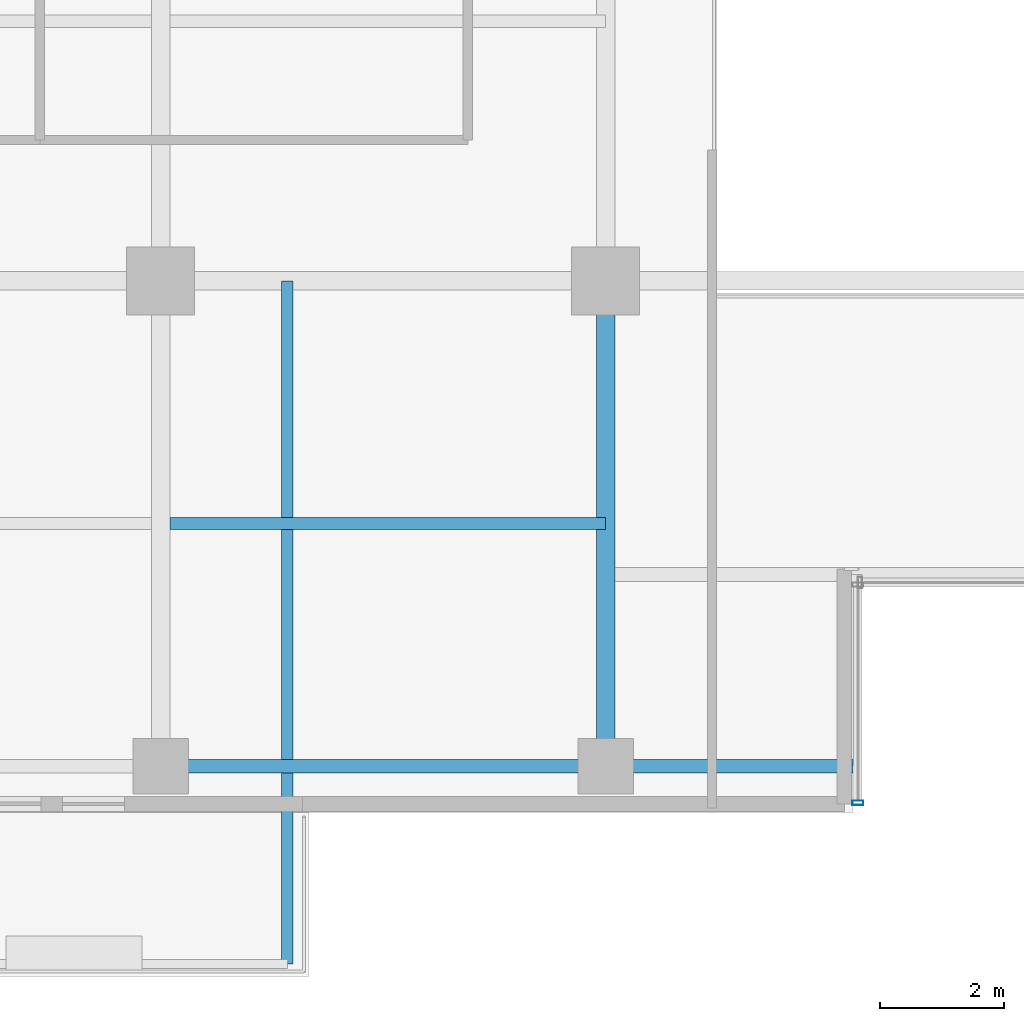
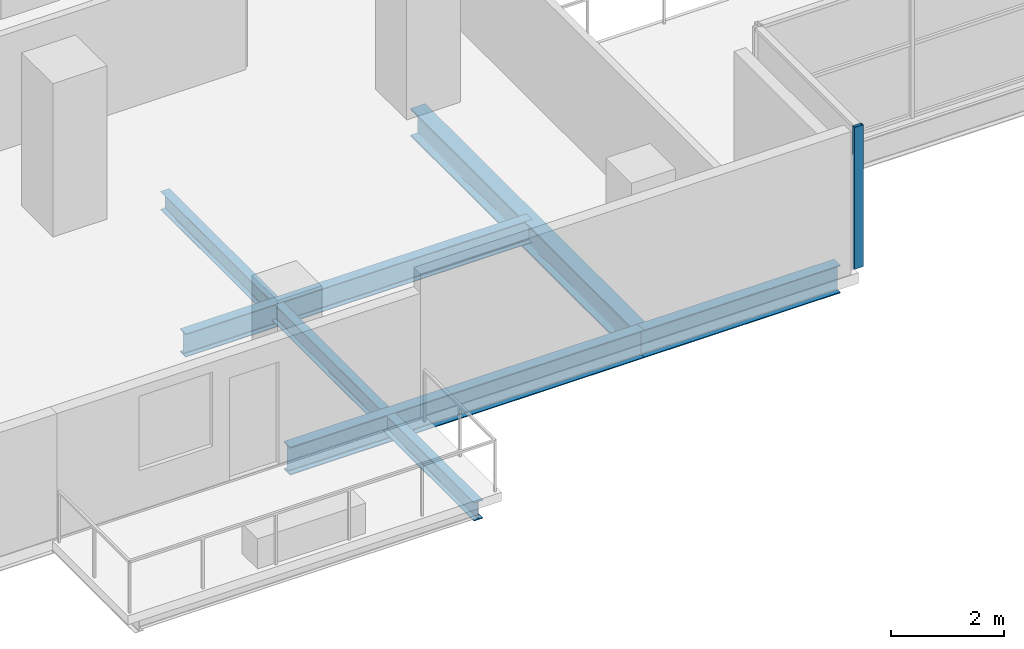
# One storey, part 5 of 26: 5 beams, 1 member, 1 element without a shape of its own.
"""IFC4 building model written with IfcOpenShell, lengths in metres."""

from ifc_helpers import new_model, si_unit, direction, frame, origin, origin_2d, place, context, subcontext, project, spatial, hollow_rectangle, i_section, extrude, source, transform, mapped, material, layer, layer_set, material_profile, profile_set, type_object, element, aggregate, save


model = new_model("IFC4")

# Units and contexts
model_context = context("Model", 3, precision=1e-05, world=origin(), true_north=direction((0.0, 1.0)))
body_context = subcontext(model_context, "Body", "Model", "MODEL_VIEW")
ifc_project = project(units=[si_unit("LENGTHUNIT", "METRE"), si_unit("AREAUNIT", "SQUARE_METRE"), si_unit("VOLUMEUNIT", "CUBIC_METRE"), si_unit("PLANEANGLEUNIT", "RADIAN"), si_unit("MASSUNIT", "GRAM", prefix="KILO")], contexts=[model_context])

# Site, building, storey
site_placement = place(None, origin())
site = spatial("IfcSite", under=ifc_project, at=site_placement, CompositionType="ELEMENT")
building_placement = place(site_placement, origin())
building = spatial("IfcBuilding", under=site, at=building_placement, Name="Zarnakvel Exchange Tower", CompositionType="ELEMENT")
storey_placement = place(building_placement, frame((0.0, 0.0, 63.699951171875)))
storey = spatial("IfcBuildingStorey", under=building, at=storey_placement, Name="L17", CompositionType="ELEMENT", Elevation=63.699951171875)

# Beams
ifc_material_1 = material(Name="Steel S355", Category="steel")
ifc_material_profile_1 = material_profile(ifc_material_1, i_section(OverallWidth=0.199951171875, OverallDepth=0.5, WebThickness=0.01025390625, FlangeThickness=0.01611328125, FilletRadius=0.02099609375, at=origin_2d()))
ifc_profile_set_1 = profile_set([ifc_material_profile_1], Name="Steel S355")
beam_type_1 = type_object("IfcBeamType", Name="B-04", PredefinedType="JOIST", material=ifc_profile_set_1)
beam_1_placement = place(storey_placement, frame((-14.25, -13.52490234375, -0.474853515625), z_axis=(1.0, 0.0, 0.0), x_axis=(0.0, 1.0, 0.0)))
element("IfcBeam", 1, at=beam_1_placement, inside=storey, type_object=beam_type_1, Name="L17 Composite Floor Secondary Joist", PredefinedType="JOIST", context=body_context, shape_type="SweptSolid", body=[
    extrude(i_section(OverallWidth=0.199951171875, OverallDepth=0.5, WebThickness=0.01025390625, FlangeThickness=0.01611328125, FilletRadius=0.02099609375, at=origin_2d()), origin(), (0.0, 0.0, 1.0), 7.050048828125),
])
ifc_material_profile_2 = material_profile(ifc_material_1, i_section(OverallWidth=0.179931640625, OverallDepth=0.39990234375, WebThickness=0.008544921875, FlangeThickness=0.013427734375, FilletRadius=0.02099609375, at=origin_2d()))
ifc_profile_set_2 = profile_set([ifc_material_profile_2], Name="Steel S355")
beam_type_2 = type_object("IfcBeamType", Name="B-06", PredefinedType="JOIST", material=ifc_profile_set_2)
beam_2_placement = place(storey_placement, frame((-12.35009765625, -9.60009765625, -0.425048828125), z_axis=(0.0, -1.0, 0.0), x_axis=(1.0, 0.0, 0.0)))
element("IfcBeam", 2, at=beam_2_placement, inside=storey, type_object=beam_type_2, Name="L17 Continuous Back-Spanned Balcony Beam E", PredefinedType="JOIST", context=body_context, shape_type="SweptSolid", body=[
    extrude(i_section(OverallWidth=0.179931640625, OverallDepth=0.39990234375, WebThickness=0.008544921875, FlangeThickness=0.013427734375, FilletRadius=0.02099609375, at=origin_2d()), origin(), (0.0, 0.0, 1.0), 11.0498046875),
])
ifc_material_profile_3 = material_profile(ifc_material_1, i_section(OverallWidth=0.300048828125, OverallDepth=0.60009765625, WebThickness=0.015380859375, FlangeThickness=0.030029296875, FilletRadius=0.027099609375, at=origin_2d()))
ifc_profile_set_3 = profile_set([ifc_material_profile_3], Name="Steel S355")
beam_type_3 = type_object("IfcBeamType", Name="G-04", PredefinedType="BEAM", material=ifc_profile_set_3)
beam_3_placement = place(storey_placement, frame((-7.199951171875, -17.449951171875, -0.52490234375), z_axis=(0.0, 1.0, 0.0), x_axis=(-1.0, 0.0, 0.0)))
element("IfcBeam", 3, at=beam_3_placement, inside=storey, type_object=beam_type_3, Name="L17 Tower N-S Frame Beam", PredefinedType="BEAM", context=body_context, shape_type="SweptSolid", body=[
    extrude(i_section(OverallWidth=0.300048828125, OverallDepth=0.60009765625, WebThickness=0.015380859375, FlangeThickness=0.030029296875, FilletRadius=0.027099609375, at=origin_2d()), origin(), (0.0, 0.0, 1.0), 7.849853515625),
])
ifc_material_profile_4 = material_profile(ifc_material_1, i_section(OverallWidth=0.219970703125, OverallDepth=0.60009765625, WebThickness=0.011962890625, FlangeThickness=0.01904296875, FilletRadius=0.02392578125, at=origin_2d()))
ifc_profile_set_4 = profile_set([ifc_material_profile_4], Name="Steel S355")
beam_type_4 = type_object("IfcBeamType", Name="SP-01", PredefinedType="SPANDREL", material=ifc_profile_set_4)
beam_4_placement = place(storey_placement, frame((-14.39990234375, -17.449951171875, -0.52490234375), z_axis=(1.0, 0.0, 0.0), x_axis=(0.0, 1.0, 0.0)))
element("IfcBeam", 4, at=beam_4_placement, inside=storey, type_object=beam_type_4, Name="L17 Tower E-W Frame Beam", PredefinedType="SPANDREL", context=body_context, shape_type="SweptSolid", body=[
    extrude(i_section(OverallWidth=0.219970703125, OverallDepth=0.60009765625, WebThickness=0.011962890625, FlangeThickness=0.01904296875, FilletRadius=0.02392578125, at=origin_2d()), origin(), (0.0, 0.0, 1.0), 7.199951171875),
])
beam_5_placement = place(storey_placement, frame((-7.199951171875, -17.449951171875, -0.52490234375), z_axis=(1.0, 0.0, 0.0), x_axis=(0.0, 1.0, 0.0)))
element("IfcBeam", 5, at=beam_5_placement, inside=storey, type_object=beam_type_4, Name="L17 South Slot West Jamb Spandrel", PredefinedType="SPANDREL", context=body_context, shape_type="SweptSolid", body=[
    extrude(i_section(OverallWidth=0.219970703125, OverallDepth=0.60009765625, WebThickness=0.011962890625, FlangeThickness=0.01904296875, FilletRadius=0.02392578125, at=origin_2d()), origin(), (0.0, 0.0, 1.0), 4.0),
])

# Curtain wall, member
ifc_material_2 = material(Name="Architectural Bronze Anodised Aluminium", Category="aluminium")
ifc_layer = layer(ifc_material_2, 0.179931640625)
ifc_layer_set = layer_set([ifc_layer], Name="Architectural Bronze Anodised Aluminium")
curtain_wall_type = type_object("IfcCurtainWallType", Name="CW-05", PredefinedType="NOTDEFINED", material=ifc_layer_set)
curtain_wall_placement = place(storey_placement, origin())
curtain_wall = element("IfcCurtainWall", 6, at=curtain_wall_placement, inside=storey, type_object=curtain_wall_type, Name="L17 Curtain Wall CW-L17-SLW (CW-05)", PredefinedType="NOTDEFINED")
ifc_material_profile_5 = material_profile(ifc_material_2, hollow_rectangle(XDim=0.179931640625, YDim=0.070068359375, WallThickness=0.00390625, at=origin_2d()))
ifc_profile_set_5 = profile_set([ifc_material_profile_5], Name="Architectural Bronze Anodised Aluminium")
member_type = type_object("IfcMemberType", Name="CWM-05", PredefinedType="MULLION", material=ifc_profile_set_5)
shared_shape = source(origin(), body_context, "Body", "SweptSolid", [
    extrude(hollow_rectangle(XDim=0.179931640625, YDim=0.070068359375, WallThickness=0.00390625, at=origin_2d()), origin(), (0.0, 0.0, 1.0), 3.054931640625),
])
member_placement = place(storey_placement, frame((-3.1201171875, -18.044921875, 0.0), z_axis=(0.0, 0.0, 1.0), x_axis=(-1.0, 0.0, 0.0)))
member = element("IfcMember", 7, at=member_placement, type_object=member_type, Name="CW-05 mullion 1", PredefinedType="MULLION", context=body_context, shape_type="MappedRepresentation", body=[
    mapped(shared_shape, transform((0.0, 0.0, 0.0), x_axis=(1.0, 0.0, 0.0), y_axis=(0.0, 1.0, 0.0), z_axis=(0.0, 0.0, 1.0), scale=1.0)),
])
aggregate(curtain_wall, [member])

save(model, "model.ifc")
